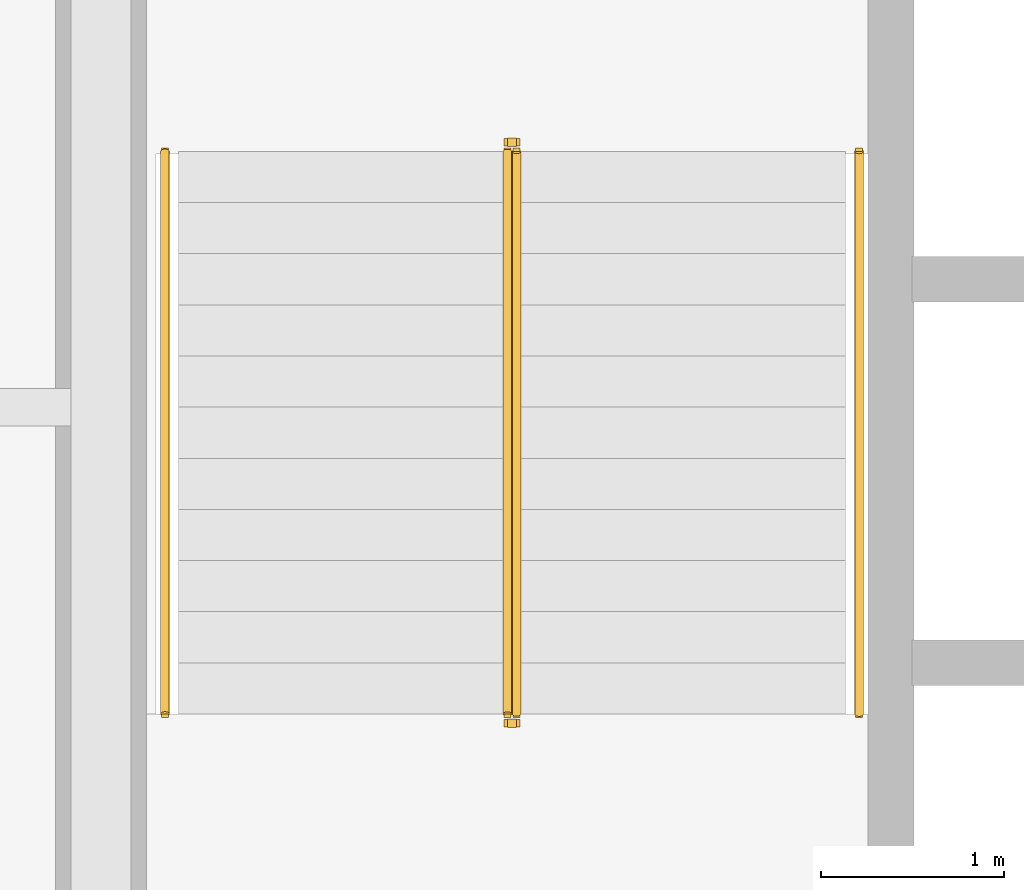
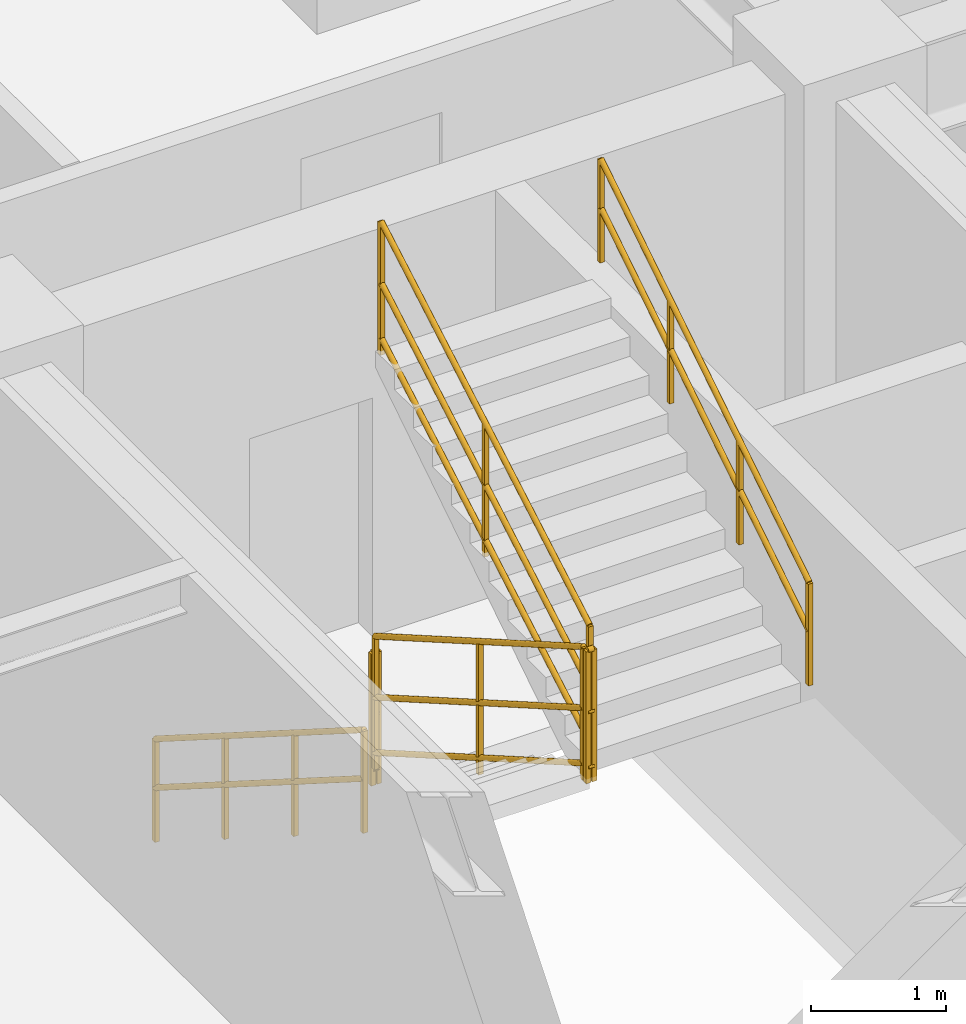
# One storey, part 9 of 9: 6 railings.
"""IFC4 building model written with IfcOpenShell, lengths in metres."""

from ifc_helpers import new_model, entity, si_unit, converted_unit, direction, frame, origin_with_axes, origin_2d_with_axis, place, context, subcontext, project, spatial, rectangle, circle, extrude, material, type_object, element, save


model = new_model("IFC4")

# Units and contexts
model_context = context("Model", 3, precision=1e-05, world=origin_with_axes(), true_north=direction((0.0, 1.0)))
body_context = subcontext(model_context, "Body", "Model", "MODEL_VIEW")
ifc_project = project(units=[si_unit("LENGTHUNIT", "METRE"), si_unit("AREAUNIT", "SQUARE_METRE"), si_unit("VOLUMEUNIT", "CUBIC_METRE"), converted_unit("PLANEANGLEUNIT", "DEGREE", entity("IfcPlaneAngleMeasure", 0.017453292519943295), si_unit("PLANEANGLEUNIT", "RADIAN"), dimensions=[0, 0, 0, 0, 0, 0, 0]), si_unit("MASSUNIT", "GRAM", prefix="KILO"), si_unit("THERMODYNAMICTEMPERATUREUNIT", "KELVIN")], contexts=[model_context])

# Site, building, storey
site_placement = place(None, origin_with_axes())
site = spatial("IfcSite", under=ifc_project, at=site_placement, CompositionType="ELEMENT")
building_placement = place(site_placement, origin_with_axes())
building = spatial("IfcBuilding", under=site, at=building_placement, Name="Varnlund Millrace Tower", CompositionType="ELEMENT")
storey_placement = place(building_placement, frame((0.0, 0.0, 144.6), z_axis=(0.0, 0.0, 1.0), x_axis=(1.0, 0.0, 0.0)))
storey = spatial("IfcBuildingStorey", under=building, at=storey_placement, Name="L35", CompositionType="ELEMENT", Elevation=144.6)

# Railings
ifc_material_1 = material(Name="Painted steel stair well balustrade guard", Category="steel")
railing_type_1 = type_object("IfcRailingType", Name="Type-StairGuard-1150", PredefinedType="GUARDRAIL", material=ifc_material_1)
railing_1_placement = place(storey_placement, frame((0.0, 0.0, -144.6), z_axis=(0.0, 0.0, 1.0), x_axis=(1.0, 0.0, 0.0)))
element("IfcRailing", 1, at=railing_1_placement, inside=storey, type_object=railing_type_1, Name="Type-StairGuard-1150", PredefinedType="GUARDRAIL", context=body_context, shape_type="SweptSolid", body=[
    extrude(circle(Radius=0.024, at=origin_2d_with_axis()), frame((13.625, 35.9, 145.927273), z_axis=(0.0, -0.866696, 0.498836), x_axis=(1.0, 0.0, 0.0)), (0.0, 0.0, 1.0), 3.553725),
    extrude(circle(Radius=0.024, at=origin_2d_with_axis()), frame((13.625, 35.9, 144.877273), z_axis=(0.0, -0.866696, 0.498836), x_axis=(1.0, 0.0, 0.0)), (0.0, 0.0, 1.0), 3.553725),
    extrude(circle(Radius=0.024, at=origin_2d_with_axis()), frame((13.625, 35.9, 145.375273), z_axis=(0.0, -0.866696, 0.498836), x_axis=(1.0, 0.0, 0.0)), (0.0, 0.0, 1.0), 3.553725),
    extrude(rectangle(XDim=0.04, YDim=0.04, at=origin_2d_with_axis()), frame((13.625, 35.9, 144.737273), z_axis=(0.0, 0.0, 1.0), x_axis=(1.0, 0.0, 0.0)), (0.0, 0.0, 1.0), 1.19),
    extrude(rectangle(XDim=0.04, YDim=0.04, at=origin_2d_with_axis()), frame((13.625, 34.36, 145.623636), z_axis=(0.0, 0.0, 1.0), x_axis=(1.0, 0.0, 0.0)), (0.0, 0.0, 1.0), 1.19),
    extrude(rectangle(XDim=0.04, YDim=0.04, at=origin_2d_with_axis()), frame((13.625, 32.82, 146.51), z_axis=(0.0, 0.0, 1.0), x_axis=(1.0, 0.0, 0.0)), (0.0, 0.0, 1.0), 1.19),
])
railing_2_placement = place(storey_placement, frame((0.0, 0.0, -144.6), z_axis=(0.0, 0.0, 1.0), x_axis=(1.0, 0.0, 0.0)))
element("IfcRailing", 2, at=railing_2_placement, inside=storey, type_object=railing_type_1, Name="Type-StairGuard-1150", PredefinedType="GUARDRAIL", context=body_context, shape_type="SweptSolid", body=[
    extrude(circle(Radius=0.024, at=origin_2d_with_axis()), frame((13.675, 32.77, 147.7), z_axis=(-1.0, 0.0, 0.0), x_axis=(0.0, -1.0, 0.0)), (0.0, 0.0, 1.0), 0.05),
    extrude(circle(Radius=0.024, at=origin_2d_with_axis()), frame((13.675, 32.77, 146.65), z_axis=(-1.0, 0.0, 0.0), x_axis=(0.0, -1.0, 0.0)), (0.0, 0.0, 1.0), 0.05),
    extrude(circle(Radius=0.024, at=origin_2d_with_axis()), frame((13.675, 32.77, 147.148), z_axis=(-1.0, 0.0, 0.0), x_axis=(0.0, -1.0, 0.0)), (0.0, 0.0, 1.0), 0.05),
    extrude(rectangle(XDim=0.04, YDim=0.04, at=origin_2d_with_axis()), frame((13.675, 32.77, 146.51), z_axis=(0.0, 0.0, 1.0), x_axis=(1.0, 0.0, 0.0)), (0.0, 0.0, 1.0), 1.19),
    extrude(rectangle(XDim=0.04, YDim=0.04, at=origin_2d_with_axis()), frame((13.625, 32.77, 146.51), z_axis=(0.0, 0.0, 1.0), x_axis=(1.0, 0.0, 0.0)), (0.0, 0.0, 1.0), 1.19),
])
railing_3_placement = place(storey_placement, frame((0.0, 0.0, -144.6), z_axis=(0.0, 0.0, 1.0), x_axis=(1.0, 0.0, 0.0)))
element("IfcRailing", 3, at=railing_3_placement, inside=storey, type_object=railing_type_1, Name="Type-StairGuard-1150", PredefinedType="GUARDRAIL", context=body_context, shape_type="SweptSolid", body=[
    extrude(circle(Radius=0.024, at=origin_2d_with_axis()), frame((13.675, 32.82, 147.877273), z_axis=(0.0, 0.866696, 0.498836), x_axis=(-1.0, 0.0, 0.0)), (0.0, 0.0, 1.0), 3.553725),
    extrude(circle(Radius=0.024, at=origin_2d_with_axis()), frame((13.675, 32.82, 146.827273), z_axis=(0.0, 0.866696, 0.498836), x_axis=(-1.0, 0.0, 0.0)), (0.0, 0.0, 1.0), 3.553725),
    extrude(circle(Radius=0.024, at=origin_2d_with_axis()), frame((13.675, 32.82, 147.325273), z_axis=(0.0, 0.866696, 0.498836), x_axis=(-1.0, 0.0, 0.0)), (0.0, 0.0, 1.0), 3.553725),
    extrude(rectangle(XDim=0.04, YDim=0.04, at=origin_2d_with_axis()), frame((13.675, 32.82, 146.687273), z_axis=(0.0, 0.0, 1.0), x_axis=(1.0, 0.0, 0.0)), (0.0, 0.0, 1.0), 1.19),
    extrude(rectangle(XDim=0.04, YDim=0.04, at=origin_2d_with_axis()), frame((13.675, 34.36, 147.573636), z_axis=(0.0, 0.0, 1.0), x_axis=(1.0, 0.0, 0.0)), (0.0, 0.0, 1.0), 1.19),
    extrude(rectangle(XDim=0.04, YDim=0.04, at=origin_2d_with_axis()), frame((13.675, 35.9, 148.46), z_axis=(0.0, 0.0, 1.0), x_axis=(1.0, 0.0, 0.0)), (0.0, 0.0, 1.0), 1.19),
])
railing_4_placement = place(storey_placement, frame((0.0, 0.0, -144.6), z_axis=(0.0, 0.0, 1.0), x_axis=(1.0, 0.0, 0.0)))
element("IfcRailing", 4, at=railing_4_placement, inside=storey, type_object=railing_type_1, Name="Type-StairGuard-1150", PredefinedType="GUARDRAIL", context=body_context, shape_type="SweptSolid", body=[
    extrude(circle(Radius=0.024, at=origin_2d_with_axis()), frame((13.675, 35.95, 145.75), z_axis=(-1.0, 0.0, 0.0), x_axis=(0.0, -1.0, 0.0)), (0.0, 0.0, 1.0), 0.05),
    extrude(circle(Radius=0.024, at=origin_2d_with_axis()), frame((13.675, 35.95, 144.7), z_axis=(-1.0, 0.0, 0.0), x_axis=(0.0, -1.0, 0.0)), (0.0, 0.0, 1.0), 0.05),
    extrude(circle(Radius=0.024, at=origin_2d_with_axis()), frame((13.675, 35.95, 145.198), z_axis=(-1.0, 0.0, 0.0), x_axis=(0.0, -1.0, 0.0)), (0.0, 0.0, 1.0), 0.05),
    extrude(rectangle(XDim=0.04, YDim=0.04, at=origin_2d_with_axis()), frame((13.675, 35.95, 144.56), z_axis=(0.0, 0.0, 1.0), x_axis=(1.0, 0.0, 0.0)), (0.0, 0.0, 1.0), 1.19),
    extrude(rectangle(XDim=0.04, YDim=0.04, at=origin_2d_with_axis()), frame((13.625, 35.95, 144.56), z_axis=(0.0, 0.0, 1.0), x_axis=(1.0, 0.0, 0.0)), (0.0, 0.0, 1.0), 1.19),
])
ifc_material_2 = material(Name="Brushed architectural bronze stair handrail", Category="aluminium")
railing_type_2 = type_object("IfcRailingType", Name="Type-StairHandrail-900", PredefinedType="HANDRAIL", material=ifc_material_2)
railing_5_placement = place(storey_placement, frame((0.0, 0.0, -144.6), z_axis=(0.0, 0.0, 1.0), x_axis=(1.0, 0.0, 0.0)))
element("IfcRailing", 5, at=railing_5_placement, inside=storey, type_object=railing_type_2, Name="Type-StairHandrail-900", PredefinedType="HANDRAIL", context=body_context, shape_type="SweptSolid", body=[
    extrude(circle(Radius=0.024, at=origin_2d_with_axis()), frame((11.75, 35.9, 145.656995), z_axis=(0.0, -0.844902, 0.534922), x_axis=(1.0, 0.0, 0.0)), (0.0, 0.0, 1.0), 3.645394),
    extrude(circle(Radius=0.024, at=origin_2d_with_axis()), frame((11.75, 35.9, 145.217134), z_axis=(0.0, -0.844902, 0.534922), x_axis=(1.0, 0.0, 0.0)), (0.0, 0.0, 1.0), 3.645394),
    extrude(rectangle(XDim=0.04, YDim=0.04, at=origin_2d_with_axis()), frame((11.75, 35.9, 144.737273), z_axis=(0.0, 0.0, 1.0), x_axis=(1.0, 0.0, 0.0)), (0.0, 0.0, 1.0), 0.919722),
    extrude(rectangle(XDim=0.04, YDim=0.04, at=origin_2d_with_axis()), frame((11.75, 34.873333, 145.387273), z_axis=(0.0, 0.0, 1.0), x_axis=(1.0, 0.0, 0.0)), (0.0, 0.0, 1.0), 0.919722),
    extrude(rectangle(XDim=0.04, YDim=0.04, at=origin_2d_with_axis()), frame((11.75, 33.846667, 146.037273), z_axis=(0.0, 0.0, 1.0), x_axis=(1.0, 0.0, 0.0)), (0.0, 0.0, 1.0), 0.919722),
    extrude(rectangle(XDim=0.04, YDim=0.04, at=origin_2d_with_axis()), frame((11.75, 32.82, 146.687273), z_axis=(0.0, 0.0, 1.0), x_axis=(1.0, 0.0, 0.0)), (0.0, 0.0, 1.0), 0.919722),
])
railing_6_placement = place(storey_placement, frame((0.0, 0.0, -144.6), z_axis=(0.0, 0.0, 1.0), x_axis=(1.0, 0.0, 0.0)))
element("IfcRailing", 6, at=railing_6_placement, inside=storey, type_object=railing_type_2, Name="Type-StairHandrail-900", PredefinedType="HANDRAIL", context=body_context, shape_type="SweptSolid", body=[
    extrude(circle(Radius=0.024, at=origin_2d_with_axis()), frame((15.55, 32.82, 147.606995), z_axis=(0.0, 0.844902, 0.534922), x_axis=(-1.0, 0.0, 0.0)), (0.0, 0.0, 1.0), 3.645394),
    extrude(circle(Radius=0.024, at=origin_2d_with_axis()), frame((15.55, 32.82, 147.167134), z_axis=(0.0, 0.844902, 0.534922), x_axis=(-1.0, 0.0, 0.0)), (0.0, 0.0, 1.0), 3.645394),
    extrude(rectangle(XDim=0.04, YDim=0.04, at=origin_2d_with_axis()), frame((15.55, 32.82, 146.687273), z_axis=(0.0, 0.0, 1.0), x_axis=(1.0, 0.0, 0.0)), (0.0, 0.0, 1.0), 0.919722),
    extrude(rectangle(XDim=0.04, YDim=0.04, at=origin_2d_with_axis()), frame((15.55, 33.846667, 147.337273), z_axis=(0.0, 0.0, 1.0), x_axis=(1.0, 0.0, 0.0)), (0.0, 0.0, 1.0), 0.919722),
    extrude(rectangle(XDim=0.04, YDim=0.04, at=origin_2d_with_axis()), frame((15.55, 34.873333, 147.987273), z_axis=(0.0, 0.0, 1.0), x_axis=(1.0, 0.0, 0.0)), (0.0, 0.0, 1.0), 0.919722),
    extrude(rectangle(XDim=0.04, YDim=0.04, at=origin_2d_with_axis()), frame((15.55, 35.9, 148.637273), z_axis=(0.0, 0.0, 1.0), x_axis=(1.0, 0.0, 0.0)), (0.0, 0.0, 1.0), 0.919722),
])

save(model, "model.ifc")
